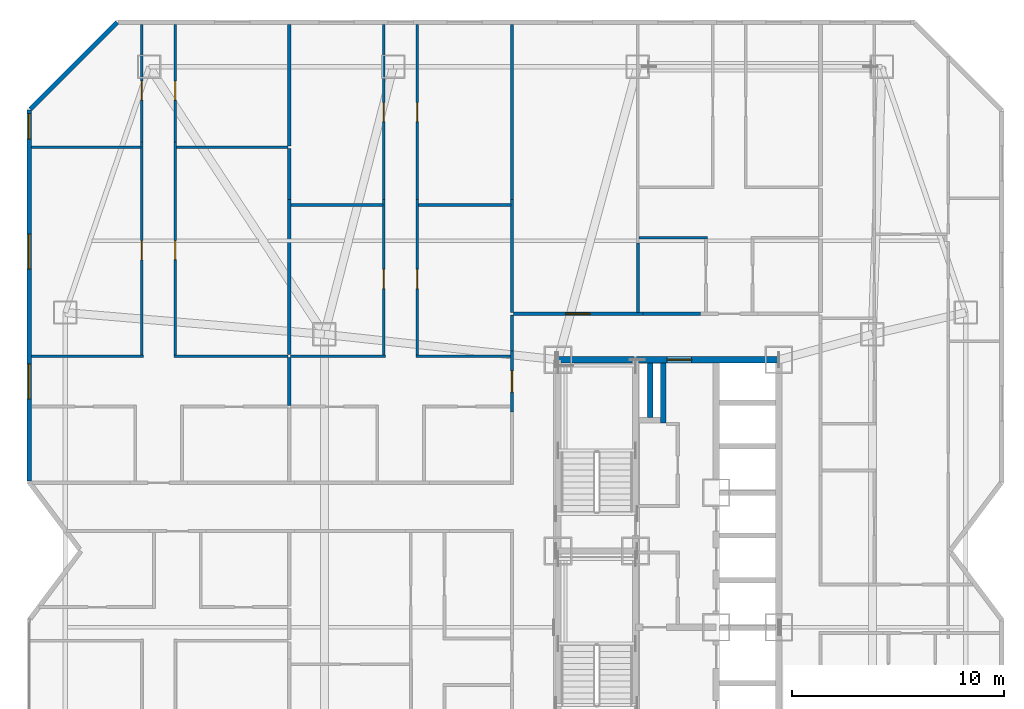
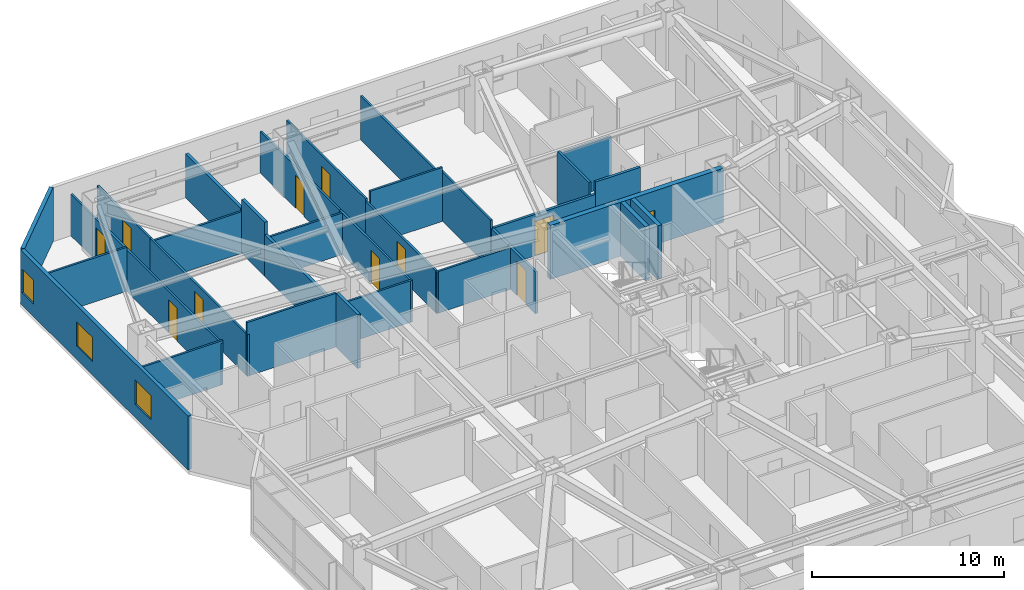
# One storey, part 15 of 18: 33 walls, 11 doors, 3 windows, 14 openings.
"""IFC4 building model written with IfcOpenShell, lengths in metres."""

import ifcopenshell
import ifcopenshell.guid

model = None  # the IFC model being written
_history = None  # IfcOwnerHistory: only IFC2X3 demands one
_inside = {}  # id of a spatial element -> (the spatial element, [elements in it])
_under = {}  # id of a project, library or spatial element -> (it, [spatial elements below it])
_declared = {}  # id of a project -> (the project, [libraries it declares])
_typed = {}  # id of a type object -> (the type object, [elements of that type])
_made_of = {}  # id of a material, layer set ... -> (it, [elements and type objects made of it])


def new_model(schema):
    """Start an empty IFC model of exactly this schema.

    Asked for "IFC4X3", IfcOpenShell would pick the latest addendum, in which some entities
    have other attributes; the version numbers below select the first issue.
    IFC2X3 requires an IfcOwnerHistory on every rooted entity: one is made here for all.
    """
    global model, _history
    if schema == "IFC4X3":
        model = ifcopenshell.file(schema_version=(4, 3, 0, 0))
    else:
        model = ifcopenshell.file(schema=schema)
    _inside.clear()
    _under.clear()
    _declared.clear()
    _typed.clear()
    _made_of.clear()
    _history = None
    if model.schema == "IFC2X3":
        org = make("IfcOrganization", Name="unknown")
        user = make(
            "IfcPersonAndOrganization",
            ThePerson=make("IfcPerson", FamilyName="unknown"),
            TheOrganization=org,
        )
        app = make(
            "IfcApplication",
            ApplicationDeveloper=org,
            Version="unknown",
            ApplicationFullName="unknown",
            ApplicationIdentifier="unknown",
        )
        _history = make(
            "IfcOwnerHistory",
            OwningUser=user,
            OwningApplication=app,
            ChangeAction="ADDED",
            CreationDate=0,
        )
    return model


def make(cls, **values):
    """One entity of the class cls with the attributes given. An attribute that is None is left unset."""
    return model.create_entity(
        cls, **{name: value for name, value in values.items() if value is not None}
    )


def rooted(cls, **values):
    """An entity with a GlobalId (a new one), such as an element, a storey or a relation."""
    return make(cls, GlobalId=ifcopenshell.guid.new(), OwnerHistory=_history, **values)


def si_unit(unit_type, name, prefix=None):
    """IfcSIUnit, for example si_unit("LENGTHUNIT", "METRE", prefix="MILLI")."""
    return make("IfcSIUnit", UnitType=unit_type, Prefix=prefix, Name=name)


def assignment(units):
    """IfcUnitAssignment: the units of a project."""
    return None if units is None else make("IfcUnitAssignment", Units=units)


def point(xyz):
    """IfcCartesianPoint."""
    return None if xyz is None else make("IfcCartesianPoint", Coordinates=xyz)


def direction(xyz):
    """IfcDirection."""
    return None if xyz is None else make("IfcDirection", DirectionRatios=xyz)


def frame(location, z_axis=None, x_axis=None):
    """IfcAxis2Placement3D, a coordinate frame: its origin and axes. An axis left out is left unset."""
    return make(
        "IfcAxis2Placement3D",
        Location=point(location),
        Axis=direction(z_axis),
        RefDirection=direction(x_axis),
    )


def frame_2d(location, x_axis=None):
    """IfcAxis2Placement2D, a coordinate frame in the plane: its origin and x axis."""
    return make(
        "IfcAxis2Placement2D", Location=point(location), RefDirection=direction(x_axis)
    )


def origin():
    """The frame at (0, 0, 0) with its axes left unset."""
    return frame((0.0, 0.0, 0.0))


def place(relative_to, where):
    """IfcLocalPlacement: puts the frame where relative to a parent placement (None: the world)."""
    return make(
        "IfcLocalPlacement", PlacementRelTo=relative_to, RelativePlacement=where
    )


def context(
    kind, dimensions, precision=None, world=None, true_north=None, identifier=None
):
    """IfcGeometricRepresentationContext, for example the 3D "Model" context."""
    return make(
        "IfcGeometricRepresentationContext",
        ContextIdentifier=identifier,
        ContextType=kind,
        CoordinateSpaceDimension=dimensions,
        Precision=precision,
        WorldCoordinateSystem=world,
        TrueNorth=true_north,
    )


def subcontext(parent, identifier, kind, view, scale=None):
    """IfcGeometricRepresentationSubContext, for example "Body" below "Model"."""
    return make(
        "IfcGeometricRepresentationSubContext",
        ContextIdentifier=identifier,
        ContextType=kind,
        ParentContext=parent,
        TargetScale=scale,
        TargetView=view,
    )


def project(units=None, contexts=None):
    """IfcProject with its units and contexts."""
    return rooted(
        "IfcProject",
        Name="project",
        RepresentationContexts=contexts,
        UnitsInContext=assignment(units),
    )


def spatial(cls, under=None, at=None, **own):
    """A site, building, storey or space (cls), placed at a placement, below another one or the project."""
    s = rooted(cls, ObjectPlacement=at, **own)
    if under is not None:
        _under.setdefault(under.id(), (under, []))[1].append(s)
    return s


def profile(cls, at=None, kind="AREA", **sizes):
    """A parametric profile (cls). Its sizes go by their IFC names, for example OverallWidth=200.0."""
    return make(cls, ProfileType=kind, Position=at, **sizes)


def rectangle(**sizes):
    """IfcRectangleProfileDef."""
    return profile("IfcRectangleProfileDef", **sizes)


def extrude(swept, where, along, depth):
    """IfcExtrudedAreaSolid: the profile swept, set in the frame where, extruded along a direction by depth."""
    return make(
        "IfcExtrudedAreaSolid",
        SweptArea=swept,
        Position=where,
        ExtrudedDirection=direction(along),
        Depth=depth,
    )


def shape(context_of_items, identifier, shape_type, items):
    """IfcShapeRepresentation: the items that make up one representation, for example the "Body"."""
    return make(
        "IfcShapeRepresentation",
        ContextOfItems=context_of_items,
        RepresentationIdentifier=identifier,
        RepresentationType=shape_type,
        Items=items,
    )


def material(Name=None, Category=None):
    """IfcMaterial."""
    return make("IfcMaterial", Name=Name, Category=Category)


def layer(
    of_material, thickness, ventilated=None, Name=None, Category=None, Priority=None
):
    """IfcMaterialLayer: one layer of a wall or slab, of a material (None: an air gap)."""
    return make(
        "IfcMaterialLayer",
        Material=of_material,
        LayerThickness=thickness,
        IsVentilated=ventilated,
        Name=Name,
        Category=Category,
        Priority=Priority,
    )


def layer_set(layers, Name=None):
    """IfcMaterialLayerSet."""
    return make("IfcMaterialLayerSet", MaterialLayers=layers, LayerSetName=Name)


def made_of(thing, what):
    """Note that an element or type object is made of a material, layer set ...; save() writes the relation."""
    if what is not None:
        _made_of.setdefault(what.id(), (what, []))[1].append(thing)
    return thing


def type_object(cls, material=None, **own):
    """A type object (cls), such as IfcWallType, which elements share."""
    return made_of(rooted(cls, **own), material)


def element(
    cls,
    number,
    at=None,
    inside=None,
    cuts=None,
    type_object=None,
    material=None,
    context=None,
    identifier="Body",
    shape_type=None,
    held_by="IfcProductDefinitionShape",
    body=None,
    shapes=None,
    **own,
):
    """One element of the class cls, such as IfcWall. Its Tag is "e" and its number.

    at: its placement. inside: the storey or other place that contains it. cuts: it is an
    opening in that element (IfcRelVoidsElement). A single representation is given by context,
    identifier, shape_type and body (its items); several are given by shapes. held_by: the class
    of the entity that holds the representations. save() writes the other relations.
    """
    e = rooted(cls, Tag="e%d" % number, ObjectPlacement=at, **own)
    if body is not None:
        shapes = [shape(context, identifier, shape_type, body)]
    if shapes is not None:
        e.Representation = make(held_by, Representations=shapes)
    if inside is not None:
        _inside.setdefault(inside.id(), (inside, []))[1].append(e)
    if cuts is not None:
        rooted(
            "IfcRelVoidsElement", RelatingBuildingElement=cuts, RelatedOpeningElement=e
        )
    if type_object is not None:
        _typed.setdefault(type_object.id(), (type_object, []))[1].append(e)
    return made_of(e, material)


def fill(opening, filler):
    """IfcRelFillsElement: the door or window that sits in an opening."""
    return rooted(
        "IfcRelFillsElement",
        RelatingOpeningElement=opening,
        RelatedBuildingElement=filler,
    )


def aggregate(whole, parts):
    """IfcRelAggregates: a whole, such as a stair, and the parts it consists of."""
    return rooted("IfcRelAggregates", RelatingObject=whole, RelatedObjects=parts)


def save(model, path):
    """Write the relations noted so far, then the file.

    IfcRelAggregates (storeys below a building ...), IfcRelContainedInSpatialStructure (elements
    in a storey), IfcRelDefinesByType, IfcRelAssociatesMaterial and IfcRelDeclares: one each for
    every whole, place, type object, material and project.
    """
    for whole, parts in _under.values():
        aggregate(whole, parts)
    for where, things in _inside.values():
        rooted(
            "IfcRelContainedInSpatialStructure",
            RelatedElements=things,
            RelatingStructure=where,
        )
    for kind, things in _typed.values():
        rooted("IfcRelDefinesByType", RelatedObjects=things, RelatingType=kind)
    for what, things in _made_of.values():
        rooted("IfcRelAssociatesMaterial", RelatedObjects=things, RelatingMaterial=what)
    for by, libraries in _declared.values():
        rooted("IfcRelDeclares", RelatingContext=by, RelatedDefinitions=libraries)
    model.write(path)


model = new_model("IFC4")

# Units and contexts
model_context = context("Model", 3, precision=1e-05, world=origin(), true_north=direction((0.0, 1.0)))
body_context = subcontext(model_context, "Body", "Model", "MODEL_VIEW")
ifc_project = project(units=[si_unit("LENGTHUNIT", "METRE"), si_unit("AREAUNIT", "SQUARE_METRE"), si_unit("VOLUMEUNIT", "CUBIC_METRE"), si_unit("PLANEANGLEUNIT", "RADIAN"), si_unit("MASSUNIT", "GRAM", prefix="KILO")], contexts=[model_context])

# Site, building, storey
site_placement = place(None, origin())
site = spatial("IfcSite", under=ifc_project, at=site_placement, CompositionType="ELEMENT")
building_placement = place(site_placement, origin())
building = spatial("IfcBuilding", under=site, at=building_placement, Name="Khamvora Tower", CompositionType="ELEMENT")
storey_placement = place(building_placement, frame((0.0, 0.0, 69.800048828125)))
storey = spatial("IfcBuildingStorey", under=building, at=storey_placement, Name="L17", CompositionType="ELEMENT", Elevation=69.800048828125)

# Wall, opening, door
ifc_material_1 = material(Name="Concrete C50/60", Category="concrete")
ifc_layer_1 = layer(ifc_material_1, 0.300048828125)
ifc_layer_set_1 = layer_set([ifc_layer_1], Name="Concrete C50/60")
wall_type_1 = type_object("IfcWallType", Name="WAL-CORE-300", PredefinedType="SHEAR", material=ifc_layer_set_1)
wall_1_placement = place(storey_placement, frame((29.0, 37.0, 0.0), z_axis=(0.0, 0.0, 1.0), x_axis=(1.0, 0.0, 0.0)))
wall_1 = element("IfcWall", 1, at=wall_1_placement, inside=storey, type_object=wall_type_1, Name="L17 central core north wall", PredefinedType="SHEAR", context=body_context, shape_type="SweptSolid", body=[
    extrude(rectangle(XDim=10.39990234375, YDim=0.300048828125, at=frame_2d((5.199951171875, 0.0))), origin(), (0.0, 0.0, 1.0), 3.429931640625),
])
opening_1_placement = place(wall_1_placement, frame((5.139892578125, 0.0, 0.0)))
opening_1 = element("IfcOpeningElement", 2, at=opening_1_placement, cuts=wall_1, Name="Opening D-SC1", PredefinedType="OPENING", context=body_context, shape_type="SweptSolid", body=[
    extrude(rectangle(XDim=1.14990234375, YDim=2.199951171875, at=frame_2d((0.574951171875, 1.10009765625))), frame((0.0, 0.159912109375, 0.0), z_axis=(0.0, -1.0, 0.0), x_axis=(1.0, 0.0, 0.0)), (0.0, 0.0, 1.0), 0.320068359375),
])
ifc_material_2 = material(Name="Powder-Coated Steel and Hardwood Leaf", Category="steel")
door_type_1 = type_object("IfcDoorType", Name="DOR-SCHL-1150", OperationType="NOTDEFINED", PredefinedType="DOOR", material=ifc_material_2)
door_1_placement = place(opening_1_placement, origin())
door_1 = element("IfcDoor", 3, at=door_1_placement, inside=storey, type_object=door_type_1, Name="L17 north core lobby to corridor fire door", OperationType="SINGLE_SWING_LEFT", OverallHeight=2.199951171875, OverallWidth=1.14990234375, PredefinedType="DOOR", context=body_context, shape_type="SweptSolid", body=[
    extrude(rectangle(XDim=1.14990234375, YDim=2.199951171875, at=frame_2d((0.574951171875, 1.10009765625))), frame((0.0, 0.02490234375, 0.0), z_axis=(0.0, -1.0, 0.0), x_axis=(1.0, 0.0, 0.0)), (0.0, 0.0, 1.0), 0.050048828125),
])
fill(opening_1, door_1)

ifc_material_3 = material(Name="Fire-Rated Drywall and Steel Stud", Category="steel")
ifc_layer_2 = layer(ifc_material_3, 0.14990234375)
ifc_layer_set_2 = layer_set([ifc_layer_2], Name="Fire-Rated Drywall and Steel Stud")
wall_type_2 = type_object("IfcWallType", Name="WAL-CORR-150", PredefinedType="STANDARD", material=ifc_layer_set_2)
wall_2_placement = place(storey_placement, frame((26.89990234375, 39.1650390625, 0.0), z_axis=(0.0, 0.0, 1.0), x_axis=(1.0, 0.0, 0.0)))
wall_2 = element("IfcWall", 4, at=wall_2_placement, inside=storey, type_object=wall_type_2, Name="L17 interior partition wall 006", PredefinedType="STANDARD", context=body_context, shape_type="SweptSolid", body=[
    extrude(rectangle(XDim=6.114013671875, YDim=0.14990234375, at=frame_2d((3.05712890625, 0.0))), origin(), (0.0, 0.0, 1.0), 2.64697265625),
])
opening_2_placement = place(wall_2_placement, frame((2.4609375, 0.0, 0.0)))
opening_2 = element("IfcOpeningElement", 5, at=opening_2_placement, cuts=wall_2, Name="Opening D-SC1", PredefinedType="OPENING", context=body_context, shape_type="SweptSolid", body=[
    extrude(rectangle(XDim=1.14990234375, YDim=2.199951171875, at=frame_2d((0.574951171875, 1.10009765625))), frame((0.0, 0.0849609375, 0.0), z_axis=(0.0, -1.0, 0.0), x_axis=(1.0, 0.0, 0.0)), (0.0, 0.0, 1.0), 0.169921875),
])
door_2_placement = place(opening_2_placement, origin())
door_2 = element("IfcDoor", 6, at=door_2_placement, inside=storey, type_object=door_type_1, Name="L17 interior door COR-FSTD", OperationType="SINGLE_SWING_RIGHT", OverallHeight=2.199951171875, OverallWidth=1.14990234375, PredefinedType="DOOR", context=body_context, shape_type="SweptSolid", body=[
    extrude(rectangle(XDim=1.14990234375, YDim=2.199951171875, at=frame_2d((0.574951171875, 1.10009765625))), frame((0.0, 0.02490234375, 0.0), z_axis=(0.0, -1.0, 0.0), x_axis=(1.0, 0.0, 0.0)), (0.0, 0.0, 1.0), 0.050048828125),
])
fill(opening_2, door_2)

wall_3_placement = place(storey_placement, frame((26.8349609375, 34.5458984375, 0.0), z_axis=(0.0, 0.0, 1.0), x_axis=(0.0, 1.0, 0.0)))
wall_3 = element("IfcWall", 7, at=wall_3_placement, inside=storey, type_object=wall_type_2, Name="L17 interior partition wall 021", PredefinedType="STANDARD", context=body_context, shape_type="SweptSolid", body=[
    extrude(rectangle(XDim=2.878173828125, YDim=0.14990234375, at=frame_2d((1.43896484375, 0.0))), origin(), (0.0, 0.0, 1.0), 2.64697265625),
])
opening_3_placement = place(wall_3_placement, frame((0.93896484375, 0.0, 0.0)))
opening_3 = element("IfcOpeningElement", 8, at=opening_3_placement, cuts=wall_3, Name="Opening D-U1", PredefinedType="OPENING", context=body_context, shape_type="SweptSolid", body=[
    extrude(rectangle(XDim=1.0, YDim=2.14990234375, at=frame_2d((0.5, 1.074951171875))), frame((0.0, 0.0849609375, 0.0), z_axis=(0.0, -1.0, 0.0), x_axis=(1.0, 0.0, 0.0)), (0.0, 0.0, 1.0), 0.169921875),
])
door_type_2 = type_object("IfcDoorType", Name="DOR-UNIT-1000", OperationType="NOTDEFINED", PredefinedType="DOOR", material=ifc_material_2)
door_3_placement = place(opening_3_placement, origin())
door_3 = element("IfcDoor", 9, at=door_3_placement, inside=storey, type_object=door_type_2, Name="L17 interior door COR-17WB2H", OperationType="SINGLE_SWING_RIGHT", OverallHeight=2.14990234375, OverallWidth=1.0, PredefinedType="DOOR", context=body_context, shape_type="SweptSolid", body=[
    extrude(rectangle(XDim=1.0, YDim=2.14990234375, at=frame_2d((0.5, 1.074951171875))), frame((0.0, 0.02490234375, 0.0), z_axis=(0.0, -1.0, 0.0), x_axis=(1.0, 0.0, 0.0)), (0.0, 0.0, 1.0), 0.050048828125),
])
fill(opening_3, door_3)

# Walls
wall_4_placement = place(storey_placement, frame((26.8349609375, 37.424072265625, 0.0), z_axis=(0.0, 0.0, 1.0), x_axis=(0.0, 1.0, 0.0)))
element("IfcWall", 10, at=wall_4_placement, inside=storey, type_object=wall_type_2, Name="L17 interior partition wall 025", PredefinedType="STANDARD", context=body_context, shape_type="SweptSolid", body=[
    extrude(rectangle(XDim=1.676025390625, YDim=0.14990234375, at=frame_2d((0.837890625, 0.0))), origin(), (0.0, 0.0, 1.0), 2.64697265625),
])
wall_5_placement = place(storey_placement, frame((33.013916015625, 39.1650390625, 0.0), z_axis=(0.0, 0.0, 1.0), x_axis=(1.0, 0.0, 0.0)))
element("IfcWall", 11, at=wall_5_placement, inside=storey, type_object=wall_type_2, Name="L17 interior partition wall 030", PredefinedType="STANDARD", context=body_context, shape_type="SweptSolid", body=[
    extrude(rectangle(XDim=2.7021484375, YDim=0.14990234375, at=frame_2d((1.35107421875, 0.0))), origin(), (0.0, 0.0, 1.0), 3.429931640625),
])
ifc_material_4 = material(Name="Acoustic Double-Stud Fire Wall", Category="gypsum")
ifc_layer_3 = layer(ifc_material_4, 0.179931640625)
ifc_layer_set_3 = layer_set([ifc_layer_3], Name="Acoustic Double-Stud Fire Wall")
wall_type_3 = type_object("IfcWallType", Name="WAL-CORR-180", PredefinedType="STANDARD", material=ifc_layer_set_3)
wall_6_placement = place(storey_placement, frame((16.345947265625, 37.110107421875, 0.0), z_axis=(0.0, 0.0, 1.0), x_axis=(0.0, -1.0, 0.0)))
element("IfcWall", 12, at=wall_6_placement, inside=storey, type_object=wall_type_3, Name="L17 interior partition wall 091", PredefinedType="STANDARD", context=body_context, shape_type="SweptSolid", body=[
    extrude(rectangle(XDim=2.25, YDim=0.179931640625, at=frame_2d((1.125, 0.0))), origin(), (0.0, 0.0, 1.0), 3.429931640625),
])
wall_7_placement = place(storey_placement, frame((16.345947265625, 44.5390625, 0.0), z_axis=(0.0, 0.0, 1.0), x_axis=(0.0, -1.0, 0.0)))
element("IfcWall", 13, at=wall_7_placement, inside=storey, type_object=wall_type_3, Name="L17 interior partition wall 095", PredefinedType="STANDARD", context=body_context, shape_type="SweptSolid", body=[
    extrude(rectangle(XDim=7.299072265625, YDim=0.179931640625, at=frame_2d((3.6494140625, 0.0))), origin(), (0.0, 0.0, 1.0), 2.64697265625),
])
wall_8_placement = place(storey_placement, frame((16.345947265625, 46.94189453125, 0.0), z_axis=(0.0, 0.0, 1.0), x_axis=(0.0, -1.0, 0.0)))
element("IfcWall", 14, at=wall_8_placement, inside=storey, type_object=wall_type_3, Name="L17 interior partition wall 096", PredefinedType="STANDARD", context=body_context, shape_type="SweptSolid", body=[
    extrude(rectangle(XDim=2.40283203125, YDim=0.179931640625, at=frame_2d((1.201416015625, 0.0))), origin(), (0.0, 0.0, 1.0), 3.429931640625),
])
wall_9_placement = place(storey_placement, frame((16.345947265625, 52.7880859375, 0.0), z_axis=(0.0, 0.0, 1.0), x_axis=(0.0, -1.0, 0.0)))
element("IfcWall", 15, at=wall_9_placement, inside=storey, type_object=wall_type_3, Name="L17 interior partition wall 097", PredefinedType="STANDARD", context=body_context, shape_type="SweptSolid", body=[
    extrude(rectangle(XDim=5.716064453125, YDim=0.179931640625, at=frame_2d((2.85791015625, 0.0))), origin(), (0.0, 0.0, 1.0), 2.802978515625),
])

# Wall, openings, windows
ifc_material_5 = material(Name="Precast concrete C40/50", Category="concrete")
ifc_layer_4 = layer(ifc_material_5, 0.219970703125)
ifc_layer_set_4 = layer_set([ifc_layer_4], Name="Precast concrete C40/50")
wall_type_4 = type_object("IfcWallType", Name="WAL-EXT-220", PredefinedType="STANDARD", material=ifc_layer_set_4)
wall_10_placement = place(storey_placement, frame((4.110107421875, 31.294921875, 0.0), z_axis=(0.0, 0.0, 1.0), x_axis=(0.0, 1.0, 0.0)))
wall_10 = element("IfcWall", 16, at=wall_10_placement, inside=storey, type_object=wall_type_4, Name="L17 exterior facade wall 05.1", PredefinedType="STANDARD", context=body_context, shape_type="SweptSolid", body=[
    extrude(rectangle(XDim=17.458984375, YDim=0.219970703125, at=frame_2d((8.7294921875, 0.0))), origin(), (0.0, 0.0, 1.0), 3.429931640625),
])
opening_4_placement = place(wall_10_placement, frame((3.864990234375, 0.0, 0.85009765625)))
opening_4 = element("IfcOpeningElement", 17, at=opening_4_placement, cuts=wall_10, Name="Opening WN-06", PredefinedType="OPENING", context=body_context, shape_type="SweptSolid", body=[
    extrude(rectangle(XDim=1.64990234375, YDim=1.550048828125, at=frame_2d((0.824951171875, 0.77490234375))), frame((0.0, 0.119873046875, 0.0), z_axis=(0.0, -1.0, 0.0), x_axis=(1.0, 0.0, 0.0)), (0.0, 0.0, 1.0), 0.239990234375),
])
opening_5_placement = place(wall_10_placement, frame((9.970947265625, 0.0, 0.85009765625)))
opening_5 = element("IfcOpeningElement", 18, at=opening_5_placement, cuts=wall_10, Name="Opening WN-06", PredefinedType="OPENING", context=body_context, shape_type="SweptSolid", body=[
    extrude(rectangle(XDim=1.64990234375, YDim=1.550048828125, at=frame_2d((0.824951171875, 0.77490234375))), frame((0.0, 0.119873046875, 0.0), z_axis=(0.0, -1.0, 0.0), x_axis=(1.0, 0.0, 0.0)), (0.0, 0.0, 1.0), 0.239990234375),
])
opening_6_placement = place(wall_10_placement, frame((16.093017578125, 0.0, 0.800048828125)))
opening_6 = element("IfcOpeningElement", 19, at=opening_6_placement, cuts=wall_10, Name="Opening WN-03", PredefinedType="OPENING", context=body_context, shape_type="SweptSolid", body=[
    extrude(rectangle(XDim=1.199951171875, YDim=1.5, at=frame_2d((0.60009765625, 0.75))), frame((0.0, 0.119873046875, 0.0), z_axis=(0.0, -1.0, 0.0), x_axis=(1.0, 0.0, 0.0)), (0.0, 0.0, 1.0), 0.239990234375),
])
ifc_material_6 = material(Name="Low-E Laminated Double Glazing", Category="glass")
window_type_1 = type_object("IfcWindowType", Name="WIN-VIS-1200x1500", PartitioningType="SINGLE_PANEL", PredefinedType="WINDOW", material=ifc_material_6)
window_1_placement = place(opening_6_placement, origin())
window_1 = element("IfcWindow", 20, at=window_1_placement, inside=storey, type_object=window_type_1, Name="L17 vision window 05.1.03", OverallHeight=1.5, OverallWidth=1.199951171875, PartitioningType="SINGLE_PANEL", PredefinedType="WINDOW", context=body_context, shape_type="SweptSolid", body=[
    extrude(rectangle(XDim=1.199951171875, YDim=1.5, at=frame_2d((0.60009765625, 0.75))), frame((0.0, 0.030029296875, 0.0), z_axis=(0.0, -1.0, 0.0), x_axis=(1.0, 0.0, 0.0)), (0.0, 0.0, 1.0), 0.06005859375),
])
fill(opening_6, window_1)
window_type_2 = type_object("IfcWindowType", Name="WIN-VIS-1650x1550", PartitioningType="SINGLE_PANEL", PredefinedType="WINDOW", material=ifc_material_6)
window_2_placement = place(opening_4_placement, origin())
window_2 = element("IfcWindow", 21, at=window_2_placement, inside=storey, type_object=window_type_2, Name="L17 vision window 05.1.01", OverallHeight=1.550048828125, OverallWidth=1.64990234375, PartitioningType="SINGLE_PANEL", PredefinedType="WINDOW", context=body_context, shape_type="SweptSolid", body=[
    extrude(rectangle(XDim=1.64990234375, YDim=1.550048828125, at=frame_2d((0.824951171875, 0.77490234375))), frame((0.0, 0.030029296875, 0.0), z_axis=(0.0, -1.0, 0.0), x_axis=(1.0, 0.0, 0.0)), (0.0, 0.0, 1.0), 0.06005859375),
])
fill(opening_4, window_2)
window_3_placement = place(opening_5_placement, origin())
window_3 = element("IfcWindow", 22, at=window_3_placement, inside=storey, type_object=window_type_2, Name="L17 vision window 05.1.02", OverallHeight=1.550048828125, OverallWidth=1.64990234375, PartitioningType="SINGLE_PANEL", PredefinedType="WINDOW", context=body_context, shape_type="SweptSolid", body=[
    extrude(rectangle(XDim=1.64990234375, YDim=1.550048828125, at=frame_2d((0.824951171875, 0.77490234375))), frame((0.0, 0.030029296875, 0.0), z_axis=(0.0, -1.0, 0.0), x_axis=(1.0, 0.0, 0.0)), (0.0, 0.0, 1.0), 0.06005859375),
])
fill(opening_5, window_3)

# Walls
wall_11_placement = place(storey_placement, frame((4.157958984375, 48.802001953125, 0.0), z_axis=(0.0, 0.0, 1.0), x_axis=(0.70712789547, 0.707085666273, 0.0)))
element("IfcWall", 23, at=wall_11_placement, inside=storey, type_object=wall_type_4, Name="L17 exterior facade wall 06.1", PredefinedType="STANDARD", context=body_context, shape_type="SweptSolid", body=[
    extrude(rectangle(XDim=5.78125, YDim=0.219970703125, at=frame_2d((2.890625, 0.0))), origin(), (0.0, 0.0, 1.0), 3.429931640625),
])
ifc_material_7 = material(Name="Gypsum Plasterboard Partition", Category="gypsum")
ifc_layer_5 = layer(ifc_material_7, 0.1201171875)
ifc_layer_set_5 = layer_set([ifc_layer_5], Name="Gypsum Plasterboard Partition")
wall_type_5 = type_object("IfcWallType", Name="WAL-PART-120", PredefinedType="PARTITIONING", material=ifc_layer_set_5)
wall_12_placement = place(storey_placement, frame((26.8349609375, 39.22998046875, 0.0), z_axis=(0.0, 0.0, 1.0), x_axis=(0.0, 1.0, 0.0)))
element("IfcWall", 24, at=wall_12_placement, inside=storey, type_object=wall_type_5, Name="L17 interior partition wall 044", PredefinedType="PARTITIONING", context=body_context, shape_type="SweptSolid", body=[
    extrude(rectangle(XDim=5.30908203125, YDim=0.1201171875, at=frame_2d((2.654541015625, 0.0))), origin(), (0.0, 0.0, 1.0), 3.10693359375),
])
wall_13_placement = place(storey_placement, frame((26.8349609375, 44.5390625, 0.0), z_axis=(0.0, 0.0, 1.0), x_axis=(0.0, 1.0, 0.0)))
element("IfcWall", 25, at=wall_13_placement, inside=storey, type_object=wall_type_5, Name="L17 interior partition wall 045", PredefinedType="PARTITIONING", context=body_context, shape_type="SweptSolid", body=[
    extrude(rectangle(XDim=8.2490234375, YDim=0.1201171875, at=frame_2d((4.12451171875, 0.0))), origin(), (0.0, 0.0, 1.0), 2.802978515625),
])

# Wall, opening, door
wall_14_placement = place(storey_placement, frame((9.410888671875, 37.110107421875, 0.0), z_axis=(0.0, 0.0, 1.0), x_axis=(0.0, 1.0, 0.0)))
wall_14 = element("IfcWall", 26, at=wall_14_placement, inside=storey, type_object=wall_type_5, Name="L17 interior partition wall 085", PredefinedType="PARTITIONING", context=body_context, shape_type="SweptSolid", body=[
    extrude(rectangle(XDim=10.14599609375, YDim=0.1201171875, at=frame_2d((5.072998046875, 0.0))), origin(), (0.0, 0.0, 1.0), 2.64697265625),
])
opening_7_placement = place(wall_14_placement, frame((4.60107421875, 0.0, 0.0)))
opening_7 = element("IfcOpeningElement", 27, at=opening_7_placement, cuts=wall_14, Name="Opening D-RM1", PredefinedType="OPENING", context=body_context, shape_type="SweptSolid", body=[
    extrude(rectangle(XDim=0.89990234375, YDim=2.10009765625, at=frame_2d((0.449951171875, 1.050048828125))), frame((0.0, 0.070068359375, 0.0), z_axis=(0.0, -1.0, 0.0), x_axis=(1.0, 0.0, 0.0)), (0.0, 0.0, 1.0), 0.14013671875),
])
door_type_3 = type_object("IfcDoorType", Name="DOR-ROOM-900", OperationType="NOTDEFINED", PredefinedType="DOOR", material=ifc_material_2)
door_4_placement = place(opening_7_placement, origin())
door_4 = element("IfcDoor", 28, at=door_4_placement, inside=storey, type_object=door_type_3, Name="L17 interior door 17WB1H-17WB1R1", OperationType="SINGLE_SWING_LEFT", OverallHeight=2.10009765625, OverallWidth=0.89990234375, PredefinedType="DOOR", context=body_context, shape_type="SweptSolid", body=[
    extrude(rectangle(XDim=0.89990234375, YDim=2.10009765625, at=frame_2d((0.449951171875, 1.050048828125))), frame((0.0, 0.02490234375, 0.0), z_axis=(0.0, -1.0, 0.0), x_axis=(1.0, 0.0, 0.0)), (0.0, 0.0, 1.0), 0.050048828125),
])
fill(opening_7, door_4)

# Wall
wall_15_placement = place(storey_placement, frame((4.2119140625, 37.175048828125, 0.0), z_axis=(0.0, 0.0, 1.0), x_axis=(1.0, 0.0, 0.0)))
element("IfcWall", 29, at=wall_15_placement, inside=storey, type_object=wall_type_5, Name="L17 interior partition wall 086", PredefinedType="PARTITIONING", context=body_context, shape_type="SweptSolid", body=[
    extrude(rectangle(XDim=5.26416015625, YDim=0.1201171875, at=frame_2d((2.632080078125, 0.0))), origin(), (0.0, 0.0, 1.0), 2.802978515625),
])

# Wall, opening, door
wall_16_placement = place(storey_placement, frame((9.410888671875, 47.256103515625, 0.0), z_axis=(0.0, 0.0, 1.0), x_axis=(0.0, 1.0, 0.0)))
wall_16 = element("IfcWall", 30, at=wall_16_placement, inside=storey, type_object=wall_type_5, Name="L17 interior partition wall 087", PredefinedType="PARTITIONING", context=body_context, shape_type="SweptSolid", body=[
    extrude(rectangle(XDim=5.531982421875, YDim=0.1201171875, at=frame_2d((2.76611328125, 0.0))), origin(), (0.0, 0.0, 1.0), 2.64697265625),
])
opening_8_placement = place(wall_16_placement, frame((1.969970703125, 0.0, 0.0)))
opening_8 = element("IfcOpeningElement", 31, at=opening_8_placement, cuts=wall_16, Name="Opening D-RM1", PredefinedType="OPENING", context=body_context, shape_type="SweptSolid", body=[
    extrude(rectangle(XDim=0.89990234375, YDim=2.10009765625, at=frame_2d((0.449951171875, 1.050048828125))), frame((0.0, 0.070068359375, 0.0), z_axis=(0.0, -1.0, 0.0), x_axis=(1.0, 0.0, 0.0)), (0.0, 0.0, 1.0), 0.14013671875),
])
door_5_placement = place(opening_8_placement, origin())
door_5 = element("IfcDoor", 32, at=door_5_placement, inside=storey, type_object=door_type_3, Name="L17 interior door 17WB1H-17WB1R2", OperationType="SINGLE_SWING_LEFT", OverallHeight=2.10009765625, OverallWidth=0.89990234375, PredefinedType="DOOR", context=body_context, shape_type="SweptSolid", body=[
    extrude(rectangle(XDim=0.89990234375, YDim=2.10009765625, at=frame_2d((0.449951171875, 1.050048828125))), frame((0.0, 0.02490234375, 0.0), z_axis=(0.0, -1.0, 0.0), x_axis=(1.0, 0.0, 0.0)), (0.0, 0.0, 1.0), 0.050048828125),
])
fill(opening_8, door_5)

wall_17_placement = place(storey_placement, frame((10.98095703125, 47.256103515625, 0.0), z_axis=(0.0, 0.0, 1.0), x_axis=(0.0, -1.0, 0.0)))
wall_17 = element("IfcWall", 33, at=wall_17_placement, inside=storey, type_object=wall_type_5, Name="L17 interior partition wall 088", PredefinedType="PARTITIONING", context=body_context, shape_type="SweptSolid", body=[
    extrude(rectangle(XDim=10.14599609375, YDim=0.1201171875, at=frame_2d((5.072998046875, 0.0))), origin(), (0.0, 0.0, 1.0), 2.64697265625),
])
opening_9_placement = place(wall_17_placement, frame((4.64404296875, 0.0, 0.0)))
opening_9 = element("IfcOpeningElement", 34, at=opening_9_placement, cuts=wall_17, Name="Opening D-RM1", PredefinedType="OPENING", context=body_context, shape_type="SweptSolid", body=[
    extrude(rectangle(XDim=0.89990234375, YDim=2.10009765625, at=frame_2d((0.449951171875, 1.050048828125))), frame((0.0, 0.070068359375, 0.0), z_axis=(0.0, -1.0, 0.0), x_axis=(1.0, 0.0, 0.0)), (0.0, 0.0, 1.0), 0.14013671875),
])
door_6_placement = place(opening_9_placement, origin())
door_6 = element("IfcDoor", 35, at=door_6_placement, inside=storey, type_object=door_type_3, Name="L17 interior door 17WB1H-17WB1R3", OperationType="SINGLE_SWING_RIGHT", OverallHeight=2.10009765625, OverallWidth=0.89990234375, PredefinedType="DOOR", context=body_context, shape_type="SweptSolid", body=[
    extrude(rectangle(XDim=0.89990234375, YDim=2.10009765625, at=frame_2d((0.449951171875, 1.050048828125))), frame((0.0, 0.02490234375, 0.0), z_axis=(0.0, -1.0, 0.0), x_axis=(1.0, 0.0, 0.0)), (0.0, 0.0, 1.0), 0.050048828125),
])
fill(opening_9, door_6)

# Wall
wall_18_placement = place(storey_placement, frame((10.916015625, 37.175048828125, 0.0), z_axis=(0.0, 0.0, 1.0), x_axis=(1.0, 0.0, 0.0)))
element("IfcWall", 36, at=wall_18_placement, inside=storey, type_object=wall_type_5, Name="L17 interior partition wall 089", PredefinedType="PARTITIONING", context=body_context, shape_type="SweptSolid", body=[
    extrude(rectangle(XDim=5.364990234375, YDim=0.1201171875, at=frame_2d((2.6826171875, 0.0))), origin(), (0.0, 0.0, 1.0), 3.429931640625),
])

# Wall, opening, door
wall_19_placement = place(storey_placement, frame((10.98095703125, 52.7880859375, 0.0), z_axis=(0.0, 0.0, 1.0), x_axis=(0.0, -1.0, 0.0)))
wall_19 = element("IfcWall", 37, at=wall_19_placement, inside=storey, type_object=wall_type_5, Name="L17 interior partition wall 090", PredefinedType="PARTITIONING", context=body_context, shape_type="SweptSolid", body=[
    extrude(rectangle(XDim=5.531982421875, YDim=0.1201171875, at=frame_2d((2.76611328125, 0.0))), origin(), (0.0, 0.0, 1.0), 2.64697265625),
])
opening_10_placement = place(wall_19_placement, frame((2.662109375, 0.0, 0.0)))
opening_10 = element("IfcOpeningElement", 38, at=opening_10_placement, cuts=wall_19, Name="Opening D-RM1", PredefinedType="OPENING", context=body_context, shape_type="SweptSolid", body=[
    extrude(rectangle(XDim=0.89990234375, YDim=2.10009765625, at=frame_2d((0.449951171875, 1.050048828125))), frame((0.0, 0.070068359375, 0.0), z_axis=(0.0, -1.0, 0.0), x_axis=(1.0, 0.0, 0.0)), (0.0, 0.0, 1.0), 0.14013671875),
])
door_7_placement = place(opening_10_placement, origin())
door_7 = element("IfcDoor", 39, at=door_7_placement, inside=storey, type_object=door_type_3, Name="L17 interior door 17WB1H-17WB1R4", OperationType="SINGLE_SWING_RIGHT", OverallHeight=2.10009765625, OverallWidth=0.89990234375, PredefinedType="DOOR", context=body_context, shape_type="SweptSolid", body=[
    extrude(rectangle(XDim=0.89990234375, YDim=2.10009765625, at=frame_2d((0.449951171875, 1.050048828125))), frame((0.0, 0.02490234375, 0.0), z_axis=(0.0, -1.0, 0.0), x_axis=(1.0, 0.0, 0.0)), (0.0, 0.0, 1.0), 0.050048828125),
])
fill(opening_10, door_7)

# Walls
wall_20_placement = place(storey_placement, frame((4.2119140625, 47.007080078125, 0.0), z_axis=(0.0, 0.0, 1.0), x_axis=(1.0, 0.0, 0.0)))
element("IfcWall", 40, at=wall_20_placement, inside=storey, type_object=wall_type_5, Name="L17 interior partition wall 093", PredefinedType="PARTITIONING", context=body_context, shape_type="SweptSolid", body=[
    extrude(rectangle(XDim=5.14501953125, YDim=0.1201171875, at=frame_2d((2.572509765625, 0.0))), origin(), (0.0, 0.0, 1.0), 2.802978515625),
])
wall_21_placement = place(storey_placement, frame((11.034912109375, 47.007080078125, 0.0), z_axis=(0.0, 0.0, 1.0), x_axis=(1.0, 0.0, 0.0)))
element("IfcWall", 41, at=wall_21_placement, inside=storey, type_object=wall_type_5, Name="L17 interior partition wall 094", PredefinedType="PARTITIONING", context=body_context, shape_type="SweptSolid", body=[
    extrude(rectangle(XDim=5.24609375, YDim=0.1201171875, at=frame_2d((2.623046875, 0.0))), origin(), (0.0, 0.0, 1.0), 2.64697265625),
])
wall_22_placement = place(storey_placement, frame((16.410888671875, 37.175048828125, 0.0), z_axis=(0.0, 0.0, 1.0), x_axis=(1.0, 0.0, 0.0)))
element("IfcWall", 42, at=wall_22_placement, inside=storey, type_object=wall_type_5, Name="L17 interior partition wall 102", PredefinedType="PARTITIONING", context=body_context, shape_type="SweptSolid", body=[
    extrude(rectangle(XDim=4.460205078125, YDim=0.1201171875, at=frame_2d((2.22998046875, 0.0))), origin(), (0.0, 0.0, 1.0), 2.64697265625),
])

# Wall, opening, door
wall_23_placement = place(storey_placement, frame((20.805908203125, 37.110107421875, 0.0), z_axis=(0.0, 0.0, 1.0), x_axis=(0.0, 1.0, 0.0)))
wall_23 = element("IfcWall", 43, at=wall_23_placement, inside=storey, type_object=wall_type_5, Name="L17 interior partition wall 103", PredefinedType="PARTITIONING", context=body_context, shape_type="SweptSolid", body=[
    extrude(rectangle(XDim=7.428955078125, YDim=0.1201171875, at=frame_2d((3.71435546875, 0.0))), origin(), (0.0, 0.0, 1.0), 2.64697265625),
])
opening_11_placement = place(wall_23_placement, frame((3.242919921875, 0.0, 0.0)))
opening_11 = element("IfcOpeningElement", 44, at=opening_11_placement, cuts=wall_23, Name="Opening D-RM1", PredefinedType="OPENING", context=body_context, shape_type="SweptSolid", body=[
    extrude(rectangle(XDim=0.89990234375, YDim=2.10009765625, at=frame_2d((0.449951171875, 1.050048828125))), frame((0.0, 0.070068359375, 0.0), z_axis=(0.0, -1.0, 0.0), x_axis=(1.0, 0.0, 0.0)), (0.0, 0.0, 1.0), 0.14013671875),
])
door_8_placement = place(opening_11_placement, origin())
door_8 = element("IfcDoor", 45, at=door_8_placement, inside=storey, type_object=door_type_3, Name="L17 interior door 17WB2H-17WB2L", OperationType="SINGLE_SWING_RIGHT", OverallHeight=2.10009765625, OverallWidth=0.89990234375, PredefinedType="DOOR", context=body_context, shape_type="SweptSolid", body=[
    extrude(rectangle(XDim=0.89990234375, YDim=2.10009765625, at=frame_2d((0.449951171875, 1.050048828125))), frame((0.0, 0.02490234375, 0.0), z_axis=(0.0, -1.0, 0.0), x_axis=(1.0, 0.0, 0.0)), (0.0, 0.0, 1.0), 0.050048828125),
])
fill(opening_11, door_8)

wall_24_placement = place(storey_placement, frame((20.805908203125, 44.5390625, 0.0), z_axis=(0.0, 0.0, 1.0), x_axis=(0.0, 1.0, 0.0)))
wall_24 = element("IfcWall", 46, at=wall_24_placement, inside=storey, type_object=wall_type_5, Name="L17 interior partition wall 104", PredefinedType="PARTITIONING", context=body_context, shape_type="SweptSolid", body=[
    extrude(rectangle(XDim=8.2490234375, YDim=0.1201171875, at=frame_2d((4.12451171875, 0.0))), origin(), (0.0, 0.0, 1.0), 2.64697265625),
])
opening_12_placement = place(wall_24_placement, frame((3.675048828125, 0.0, 0.0)))
opening_12 = element("IfcOpeningElement", 47, at=opening_12_placement, cuts=wall_24, Name="Opening D-RM1", PredefinedType="OPENING", context=body_context, shape_type="SweptSolid", body=[
    extrude(rectangle(XDim=0.89990234375, YDim=2.10009765625, at=frame_2d((0.449951171875, 1.050048828125))), frame((0.0, 0.070068359375, 0.0), z_axis=(0.0, -1.0, 0.0), x_axis=(1.0, 0.0, 0.0)), (0.0, 0.0, 1.0), 0.14013671875),
])
door_9_placement = place(opening_12_placement, origin())
door_9 = element("IfcDoor", 48, at=door_9_placement, inside=storey, type_object=door_type_3, Name="L17 interior door 17WB2H-17WB2R2", OperationType="SINGLE_SWING_LEFT", OverallHeight=2.10009765625, OverallWidth=0.89990234375, PredefinedType="DOOR", context=body_context, shape_type="SweptSolid", body=[
    extrude(rectangle(XDim=0.89990234375, YDim=2.10009765625, at=frame_2d((0.449951171875, 1.050048828125))), frame((0.0, 0.02490234375, 0.0), z_axis=(0.0, -1.0, 0.0), x_axis=(1.0, 0.0, 0.0)), (0.0, 0.0, 1.0), 0.050048828125),
])
fill(opening_12, door_9)

wall_25_placement = place(storey_placement, frame((22.3759765625, 44.5390625, 0.0), z_axis=(0.0, 0.0, 1.0), x_axis=(0.0, -1.0, 0.0)))
wall_25 = element("IfcWall", 49, at=wall_25_placement, inside=storey, type_object=wall_type_5, Name="L17 interior partition wall 105", PredefinedType="PARTITIONING", context=body_context, shape_type="SweptSolid", body=[
    extrude(rectangle(XDim=7.428955078125, YDim=0.1201171875, at=frame_2d((3.71435546875, 0.0))), origin(), (0.0, 0.0, 1.0), 2.64697265625),
])
opening_13_placement = place(wall_25_placement, frame((3.284912109375, 0.0, 0.0)))
opening_13 = element("IfcOpeningElement", 50, at=opening_13_placement, cuts=wall_25, Name="Opening D-RM1", PredefinedType="OPENING", context=body_context, shape_type="SweptSolid", body=[
    extrude(rectangle(XDim=0.89990234375, YDim=2.10009765625, at=frame_2d((0.449951171875, 1.050048828125))), frame((0.0, 0.070068359375, 0.0), z_axis=(0.0, -1.0, 0.0), x_axis=(1.0, 0.0, 0.0)), (0.0, 0.0, 1.0), 0.14013671875),
])
door_10_placement = place(opening_13_placement, origin())
door_10 = element("IfcDoor", 51, at=door_10_placement, inside=storey, type_object=door_type_3, Name="L17 interior door 17WB2H-17WB2R3", OperationType="SINGLE_SWING_RIGHT", OverallHeight=2.10009765625, OverallWidth=0.89990234375, PredefinedType="DOOR", context=body_context, shape_type="SweptSolid", body=[
    extrude(rectangle(XDim=0.89990234375, YDim=2.10009765625, at=frame_2d((0.449951171875, 1.050048828125))), frame((0.0, 0.02490234375, 0.0), z_axis=(0.0, -1.0, 0.0), x_axis=(1.0, 0.0, 0.0)), (0.0, 0.0, 1.0), 0.050048828125),
])
fill(opening_13, door_10)

# Wall
wall_26_placement = place(storey_placement, frame((22.31103515625, 37.175048828125, 0.0), z_axis=(0.0, 0.0, 1.0), x_axis=(1.0, 0.0, 0.0)))
element("IfcWall", 52, at=wall_26_placement, inside=storey, type_object=wall_type_5, Name="L17 interior partition wall 106", PredefinedType="PARTITIONING", context=body_context, shape_type="SweptSolid", body=[
    extrude(rectangle(XDim=4.458984375, YDim=0.1201171875, at=frame_2d((2.2294921875, 0.0))), origin(), (0.0, 0.0, 1.0), 2.64697265625),
])

# Wall, opening, door
wall_27_placement = place(storey_placement, frame((22.3759765625, 52.7880859375, 0.0), z_axis=(0.0, 0.0, 1.0), x_axis=(0.0, -1.0, 0.0)))
wall_27 = element("IfcWall", 53, at=wall_27_placement, inside=storey, type_object=wall_type_5, Name="L17 interior partition wall 107", PredefinedType="PARTITIONING", context=body_context, shape_type="SweptSolid", body=[
    extrude(rectangle(XDim=8.2490234375, YDim=0.1201171875, at=frame_2d((4.12451171875, 0.0))), origin(), (0.0, 0.0, 1.0), 2.802978515625),
])
opening_14_placement = place(wall_27_placement, frame((3.675048828125, 0.0, 0.0)))
opening_14 = element("IfcOpeningElement", 54, at=opening_14_placement, cuts=wall_27, Name="Opening D-RM1", PredefinedType="OPENING", context=body_context, shape_type="SweptSolid", body=[
    extrude(rectangle(XDim=0.89990234375, YDim=2.10009765625, at=frame_2d((0.449951171875, 1.050048828125))), frame((0.0, 0.070068359375, 0.0), z_axis=(0.0, -1.0, 0.0), x_axis=(1.0, 0.0, 0.0)), (0.0, 0.0, 1.0), 0.14013671875),
])
door_11_placement = place(opening_14_placement, origin())
door_11 = element("IfcDoor", 55, at=door_11_placement, inside=storey, type_object=door_type_3, Name="L17 interior door 17WB2H-17WB2R4", OperationType="SINGLE_SWING_LEFT", OverallHeight=2.10009765625, OverallWidth=0.89990234375, PredefinedType="DOOR", context=body_context, shape_type="SweptSolid", body=[
    extrude(rectangle(XDim=0.89990234375, YDim=2.10009765625, at=frame_2d((0.449951171875, 1.050048828125))), frame((0.0, 0.02490234375, 0.0), z_axis=(0.0, -1.0, 0.0), x_axis=(1.0, 0.0, 0.0)), (0.0, 0.0, 1.0), 0.050048828125),
])
fill(opening_14, door_11)

# Walls
wall_28_placement = place(storey_placement, frame((16.427978515625, 44.2900390625, 0.0), z_axis=(0.0, 0.0, 1.0), x_axis=(1.0, 0.0, 0.0)))
element("IfcWall", 56, at=wall_28_placement, inside=storey, type_object=wall_type_5, Name="L17 interior partition wall 108", PredefinedType="PARTITIONING", context=body_context, shape_type="SweptSolid", body=[
    extrude(rectangle(XDim=4.323974609375, YDim=0.1201171875, at=frame_2d((2.162109375, 0.0))), origin(), (0.0, 0.0, 1.0), 2.64697265625),
])
wall_29_placement = place(storey_placement, frame((22.429931640625, 44.2900390625, 0.0), z_axis=(0.0, 0.0, 1.0), x_axis=(1.0, 0.0, 0.0)))
element("IfcWall", 57, at=wall_29_placement, inside=storey, type_object=wall_type_5, Name="L17 interior partition wall 109", PredefinedType="PARTITIONING", context=body_context, shape_type="SweptSolid", body=[
    extrude(rectangle(XDim=4.35107421875, YDim=0.1201171875, at=frame_2d((2.175537109375, 0.0))), origin(), (0.0, 0.0, 1.0), 3.429931640625),
])
ifc_material_8 = material(Name="Concrete C40/50", Category="concrete")
ifc_layer_6 = layer(ifc_material_8, 0.25)
ifc_layer_set_6 = layer_set([ifc_layer_6], Name="Concrete C40/50")
wall_type_6 = type_object("IfcWallType", Name="WAL-PODS-250", PredefinedType="SHEAR", material=ifc_layer_set_6)
wall_30_placement = place(storey_placement, frame((33.955078125, 34.02490234375, 0.0), z_axis=(0.0, 0.0, 1.0), x_axis=(0.0, 1.0, 0.0)))
element("IfcWall", 58, at=wall_30_placement, inside=storey, type_object=wall_type_6, Name="L17 vertical MEP riser shaft east enclosure wall", PredefinedType="SHEAR", context=body_context, shape_type="SweptSolid", body=[
    extrude(rectangle(XDim=2.821044921875, YDim=0.25, at=frame_2d((1.41064453125, 0.0))), origin(), (0.0, 0.0, 1.0), 3.429931640625),
])
wall_31_placement = place(storey_placement, frame((33.340087890625, 34.279052734375, 0.0), z_axis=(0.0, 0.0, 1.0), x_axis=(0.0, 1.0, 0.0)))
element("IfcWall", 59, at=wall_31_placement, inside=storey, type_object=wall_type_6, Name="L17 vertical MEP riser shaft divider enclosure wall", PredefinedType="SHEAR", context=body_context, shape_type="SweptSolid", body=[
    extrude(rectangle(XDim=2.56689453125, YDim=0.25, at=frame_2d((1.283447265625, 0.0))), origin(), (0.0, 0.0, 1.0), 3.429931640625),
])
ifc_material_9 = material(Name="Moisture-Resistant Plasterboard Partition", Category="gypsum")
ifc_layer_7 = layer(ifc_material_9, 0.135009765625)
ifc_layer_set_7 = layer_set([ifc_layer_7], Name="Moisture-Resistant Plasterboard Partition")
wall_type_7 = type_object("IfcWallType", Name="WAL-WET-135", PredefinedType="PARTITIONING", material=ifc_layer_set_7)
wall_32_placement = place(storey_placement, frame((32.764892578125, 42.49609375, 0.0), z_axis=(0.0, 0.0, 1.0), x_axis=(0.0, -1.0, 0.0)))
element("IfcWall", 60, at=wall_32_placement, inside=storey, type_object=wall_type_7, Name="L17 interior partition wall 047", PredefinedType="PARTITIONING", context=body_context, shape_type="SweptSolid", body=[
    extrude(rectangle(XDim=3.26416015625, YDim=0.135009765625, at=frame_2d((1.632080078125, 0.0))), origin(), (0.0, 0.0, 1.0), 3.429931640625),
])
wall_33_placement = place(storey_placement, frame((36.030029296875, 42.7451171875, 0.0), z_axis=(0.0, 0.0, 1.0), x_axis=(-1.0, 0.0, 0.0)))
element("IfcWall", 61, at=wall_33_placement, inside=storey, type_object=wall_type_7, Name="L17 interior partition wall 127", PredefinedType="PARTITIONING", context=body_context, shape_type="SweptSolid", body=[
    extrude(rectangle(XDim=3.2109375, YDim=0.135009765625, at=frame_2d((1.60546875, 0.0))), origin(), (0.0, 0.0, 1.0), 3.10693359375),
])

save(model, "model.ifc")
